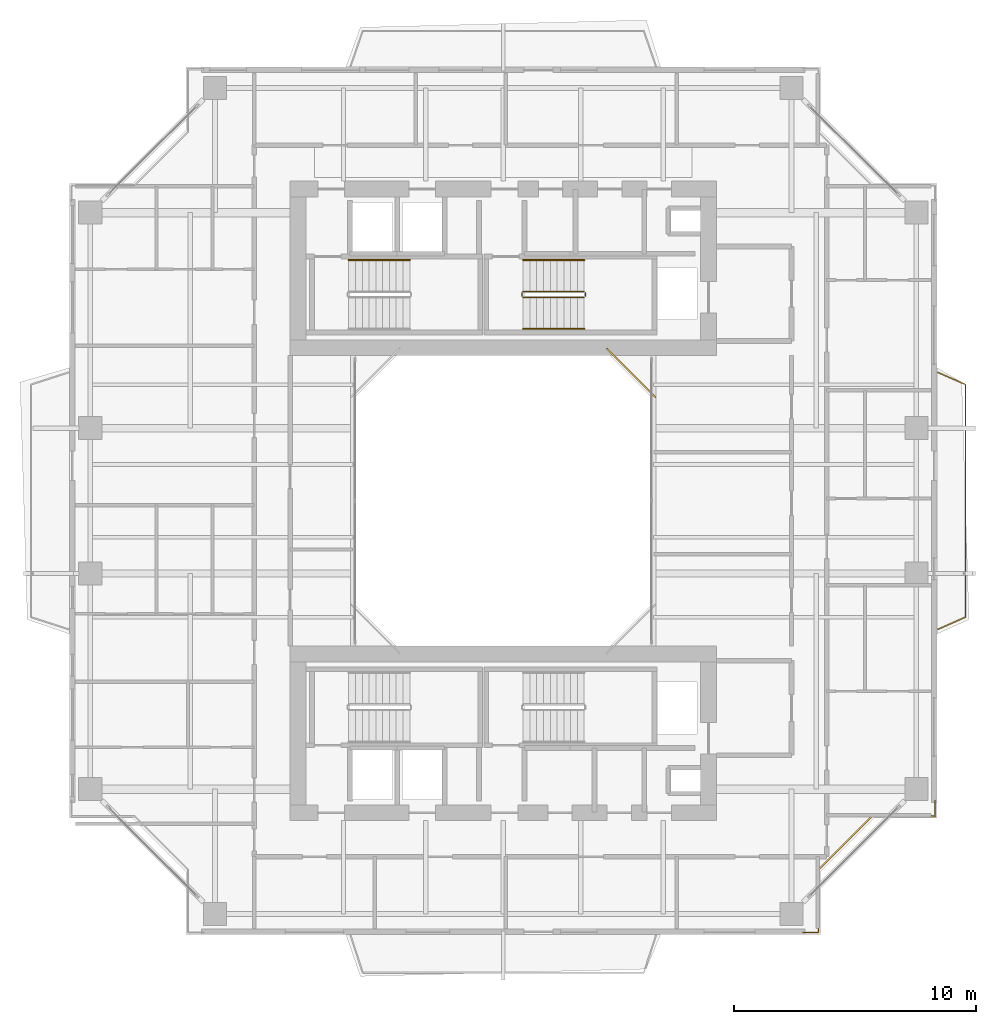
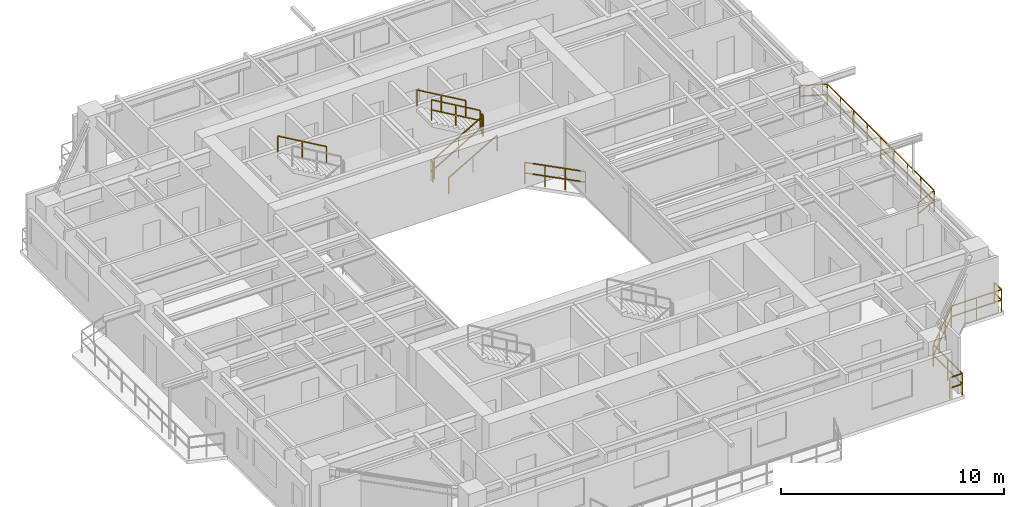
# One storey, part 17 of 18: 10 railings.
"""IFC4 building model written with IfcOpenShell, lengths in metres."""

from ifc_helpers import new_model, si_unit, direction, frame, origin, origin_2d, place, context, subcontext, project, spatial, rectangle, extrude, material, type_object, element, save


model = new_model("IFC4")

# Units and contexts
model_context = context("Model", 3, precision=1e-05, world=origin(), true_north=direction((0.0, 1.0)))
body_context = subcontext(model_context, "Body", "Model", "MODEL_VIEW")
ifc_project = project(units=[si_unit("LENGTHUNIT", "METRE"), si_unit("AREAUNIT", "SQUARE_METRE"), si_unit("VOLUMEUNIT", "CUBIC_METRE"), si_unit("PLANEANGLEUNIT", "RADIAN"), si_unit("MASSUNIT", "GRAM", prefix="KILO"), si_unit("THERMODYNAMICTEMPERATUREUNIT", "KELVIN"), si_unit("POWERUNIT", "WATT")], contexts=[model_context])

# Site, building, storey
site_placement = place(None, origin())
site = spatial("IfcSite", under=ifc_project, at=site_placement, CompositionType="ELEMENT")
building_placement = place(site_placement, origin())
building = spatial("IfcBuilding", under=site, at=building_placement, Name="Qiaomeng Ring Towers", CompositionType="ELEMENT")
storey_placement = place(building_placement, frame((0.0, 0.0, 179.5)))
storey = spatial("IfcBuildingStorey", under=building, at=storey_placement, Name="L52", CompositionType="ELEMENT", Elevation=179.5)

# Railings
ifc_material_1 = material(Name="Low-E pale-green laminated safety glass", Category="glass")
railing_type_1 = type_object("IfcRailingType", Name="ARC-RL-BAL1", PredefinedType="BALUSTRADE", material=ifc_material_1)
railing_1_placement = place(storey_placement, frame((25.280029296875, 27.280029296875, 0.0)))
element("IfcRailing", 1, at=railing_1_placement, inside=storey, type_object=railing_type_1, Name="L52 Balustrade ARC-BAL-WELL1-L52-2", PredefinedType="BALUSTRADE", context=body_context, shape_type="SweptSolid", body=[
    extrude(rectangle(XDim=0.048095703125, YDim=0.048095703125, at=origin_2d()), frame((0.0, 0.0, 1.17578125), z_axis=(-0.707106781187, 0.707106781187, 0.0), x_axis=(-0.707106781187, -0.707106781187, 0.0)), (0.0, 0.0, 1.0), 2.828369140625),
    extrude(rectangle(XDim=0.048095703125, YDim=0.048095703125, at=origin_2d()), frame((0.0, 0.0, 0.60009765625), z_axis=(-0.707106781187, 0.707106781187, 0.0), x_axis=(-0.707106781187, -0.707106781187, 0.0)), (0.0, 0.0, 1.0), 2.828369140625),
    extrude(rectangle(XDim=0.0419921875, YDim=0.0419921875, at=origin_2d()), origin(), (0.0, 0.0, 1.0), 1.15185546875),
    extrude(rectangle(XDim=0.0419921875, YDim=0.0419921875, at=origin_2d()), frame((-0.666748046875, 0.666748046875, 0.0)), (0.0, 0.0, 1.0), 1.15185546875),
    extrude(rectangle(XDim=0.0419921875, YDim=0.0419921875, at=origin_2d()), frame((-1.333251953125, 1.333251953125, 0.0)), (0.0, 0.0, 1.0), 1.15185546875),
    extrude(rectangle(XDim=0.0419921875, YDim=0.0419921875, at=origin_2d()), frame((-2.0, 2.0, 0.0)), (0.0, 0.0, 1.0), 1.15185546875),
])
railing_2_placement = place(storey_placement, frame((31.3701171875, 5.179931640625, 0.0)))
element("IfcRailing", 2, at=railing_2_placement, inside=storey, type_object=railing_type_1, Name="L52 Balustrade ARC-BAL-NOTCH1-L52-SE", PredefinedType="BALUSTRADE", context=body_context, shape_type="SweptSolid", body=[
    extrude(rectangle(XDim=0.048095703125, YDim=0.048095703125, at=origin_2d()), frame((0.0, 0.0, 1.17578125), z_axis=(1.0, 0.0, 0.0), x_axis=(0.0, 1.0, 0.0)), (0.0, 0.0, 1.0), 0.64990234375),
    extrude(rectangle(XDim=0.048095703125, YDim=0.048095703125, at=origin_2d()), frame((0.0, 0.0, 0.60009765625), z_axis=(1.0, 0.0, 0.0), x_axis=(0.0, 1.0, 0.0)), (0.0, 0.0, 1.0), 0.64990234375),
    extrude(rectangle(XDim=0.048095703125, YDim=0.048095703125, at=origin_2d()), frame((0.64990234375, 0.0, 1.17578125), z_axis=(0.0, 1.0, 0.0), x_axis=(-1.0, 0.0, 0.0)), (0.0, 0.0, 1.0), 2.60009765625),
    extrude(rectangle(XDim=0.048095703125, YDim=0.048095703125, at=origin_2d()), frame((0.64990234375, 0.0, 0.60009765625), z_axis=(0.0, 1.0, 0.0), x_axis=(-1.0, 0.0, 0.0)), (0.0, 0.0, 1.0), 2.60009765625),
    extrude(rectangle(XDim=0.048095703125, YDim=0.048095703125, at=origin_2d()), frame((0.64990234375, 2.60009765625, 1.17578125), z_axis=(0.707106781187, 0.707106781187, 0.0), x_axis=(-0.707106781187, 0.707106781187, 0.0)), (0.0, 0.0, 1.0), 3.111083984375),
    extrude(rectangle(XDim=0.048095703125, YDim=0.048095703125, at=origin_2d()), frame((0.64990234375, 2.60009765625, 0.60009765625), z_axis=(0.707106781187, 0.707106781187, 0.0), x_axis=(-0.707106781187, 0.707106781187, 0.0)), (0.0, 0.0, 1.0), 3.111083984375),
    extrude(rectangle(XDim=0.048095703125, YDim=0.048095703125, at=origin_2d()), frame((2.849853515625, 4.800048828125, 1.17578125), z_axis=(1.0, 0.0, 0.0), x_axis=(0.0, 1.0, 0.0)), (0.0, 0.0, 1.0), 2.60009765625),
    extrude(rectangle(XDim=0.048095703125, YDim=0.048095703125, at=origin_2d()), frame((2.849853515625, 4.800048828125, 0.60009765625), z_axis=(1.0, 0.0, 0.0), x_axis=(0.0, 1.0, 0.0)), (0.0, 0.0, 1.0), 2.60009765625),
    extrude(rectangle(XDim=0.048095703125, YDim=0.048095703125, at=origin_2d()), frame((5.449951171875, 4.800048828125, 1.17578125), z_axis=(0.0, 1.0, 0.0), x_axis=(-1.0, 0.0, 0.0)), (0.0, 0.0, 1.0), 0.64990234375),
    extrude(rectangle(XDim=0.048095703125, YDim=0.048095703125, at=origin_2d()), frame((5.449951171875, 4.800048828125, 0.60009765625), z_axis=(0.0, 1.0, 0.0), x_axis=(-1.0, 0.0, 0.0)), (0.0, 0.0, 1.0), 0.64990234375),
    extrude(rectangle(XDim=0.0419921875, YDim=0.0419921875, at=origin_2d()), origin(), (0.0, 0.0, 1.0), 1.15185546875),
    extrude(rectangle(XDim=0.0419921875, YDim=0.0419921875, at=origin_2d()), frame((0.64990234375, 0.0, 0.0)), (0.0, 0.0, 1.0), 1.15185546875),
    extrude(rectangle(XDim=0.0419921875, YDim=0.0419921875, at=origin_2d()), frame((0.64990234375, 1.300048828125, 0.0)), (0.0, 0.0, 1.0), 1.15185546875),
    extrude(rectangle(XDim=0.0419921875, YDim=0.0419921875, at=origin_2d()), frame((0.64990234375, 2.60009765625, 0.0)), (0.0, 0.0, 1.0), 1.15185546875),
    extrude(rectangle(XDim=0.0419921875, YDim=0.0419921875, at=origin_2d()), frame((1.38330078125, 3.33349609375, 0.0)), (0.0, 0.0, 1.0), 1.15185546875),
    extrude(rectangle(XDim=0.0419921875, YDim=0.0419921875, at=origin_2d()), frame((2.116455078125, 4.066650390625, 0.0)), (0.0, 0.0, 1.0), 1.15185546875),
    extrude(rectangle(XDim=0.0419921875, YDim=0.0419921875, at=origin_2d()), frame((2.849853515625, 4.800048828125, 0.0)), (0.0, 0.0, 1.0), 1.15185546875),
    extrude(rectangle(XDim=0.0419921875, YDim=0.0419921875, at=origin_2d()), frame((4.14990234375, 4.800048828125, 0.0)), (0.0, 0.0, 1.0), 1.15185546875),
    extrude(rectangle(XDim=0.0419921875, YDim=0.0419921875, at=origin_2d()), frame((5.449951171875, 4.800048828125, 0.0)), (0.0, 0.0, 1.0), 1.15185546875),
    extrude(rectangle(XDim=0.0419921875, YDim=0.0419921875, at=origin_2d()), frame((5.449951171875, 5.449951171875, 0.0)), (0.0, 0.0, 1.0), 1.15185546875),
])
railing_3_placement = place(storey_placement, frame((36.949951171875, 17.699951171875, 0.0)))
element("IfcRailing", 3, at=railing_3_placement, inside=storey, type_object=railing_type_1, Name="L52 Balustrade ARC-BAL-L52-T1-E", PredefinedType="BALUSTRADE", context=body_context, shape_type="SweptSolid", body=[
    extrude(rectangle(XDim=0.048095703125, YDim=0.048095703125, at=origin_2d()), frame((0.0, 0.0, 1.17578125), z_axis=(0.914494575002, 0.404598161504, 0.0), x_axis=(-0.404598161504, 0.914494575002, 0.0)), (0.0, 0.0, 1.0), 1.23583984375),
    extrude(rectangle(XDim=0.048095703125, YDim=0.048095703125, at=origin_2d()), frame((0.0, 0.0, 0.60009765625), z_axis=(0.914494575002, 0.404598161504, 0.0), x_axis=(-0.404598161504, 0.914494575002, 0.0)), (0.0, 0.0, 1.0), 1.23583984375),
    extrude(rectangle(XDim=0.048095703125, YDim=0.048095703125, at=origin_2d()), frame((1.130126953125, 0.5, 1.17578125), z_axis=(0.0, 1.0, 0.0), x_axis=(-1.0, 0.0, 0.0)), (0.0, 0.0, 1.0), 9.60009765625),
    extrude(rectangle(XDim=0.048095703125, YDim=0.048095703125, at=origin_2d()), frame((1.130126953125, 0.5, 0.60009765625), z_axis=(0.0, 1.0, 0.0), x_axis=(-1.0, 0.0, 0.0)), (0.0, 0.0, 1.0), 9.60009765625),
    extrude(rectangle(XDim=0.048095703125, YDim=0.048095703125, at=origin_2d()), frame((1.130126953125, 10.10009765625, 1.17578125), z_axis=(-0.914494575002, 0.404598161504, 0.0), x_axis=(-0.404598161504, -0.914494575002, 0.0)), (0.0, 0.0, 1.0), 1.23583984375),
    extrude(rectangle(XDim=0.048095703125, YDim=0.048095703125, at=origin_2d()), frame((1.130126953125, 10.10009765625, 0.60009765625), z_axis=(-0.914494575002, 0.404598161504, 0.0), x_axis=(-0.404598161504, -0.914494575002, 0.0)), (0.0, 0.0, 1.0), 1.23583984375),
    extrude(rectangle(XDim=0.0419921875, YDim=0.0419921875, at=origin_2d()), origin(), (0.0, 0.0, 1.0), 1.15185546875),
    extrude(rectangle(XDim=0.0419921875, YDim=0.0419921875, at=origin_2d()), frame((1.130126953125, 0.5, 0.0)), (0.0, 0.0, 1.0), 1.15185546875),
    extrude(rectangle(XDim=0.0419921875, YDim=0.0419921875, at=origin_2d()), frame((1.130126953125, 1.699951171875, 0.0)), (0.0, 0.0, 1.0), 1.15185546875),
    extrude(rectangle(XDim=0.0419921875, YDim=0.0419921875, at=origin_2d()), frame((1.130126953125, 2.89990234375, 0.0)), (0.0, 0.0, 1.0), 1.15185546875),
    extrude(rectangle(XDim=0.0419921875, YDim=0.0419921875, at=origin_2d()), frame((1.130126953125, 4.10009765625, 0.0)), (0.0, 0.0, 1.0), 1.15185546875),
    extrude(rectangle(XDim=0.0419921875, YDim=0.0419921875, at=origin_2d()), frame((1.130126953125, 5.300048828125, 0.0)), (0.0, 0.0, 1.0), 1.15185546875),
    extrude(rectangle(XDim=0.0419921875, YDim=0.0419921875, at=origin_2d()), frame((1.130126953125, 6.5, 0.0)), (0.0, 0.0, 1.0), 1.15185546875),
    extrude(rectangle(XDim=0.0419921875, YDim=0.0419921875, at=origin_2d()), frame((1.130126953125, 7.7001953125, 0.0)), (0.0, 0.0, 1.0), 1.15185546875),
    extrude(rectangle(XDim=0.0419921875, YDim=0.0419921875, at=origin_2d()), frame((1.130126953125, 8.900146484375, 0.0)), (0.0, 0.0, 1.0), 1.15185546875),
    extrude(rectangle(XDim=0.0419921875, YDim=0.0419921875, at=origin_2d()), frame((1.130126953125, 10.10009765625, 0.0)), (0.0, 0.0, 1.0), 1.15185546875),
    extrude(rectangle(XDim=0.0419921875, YDim=0.0419921875, at=origin_2d()), frame((0.0, 10.60009765625, 0.0)), (0.0, 0.0, 1.0), 1.15185546875),
])
ifc_material_2 = material(Name="Galvanised steel", Category="steel")
railing_type_2 = type_object("IfcRailingType", Name="ARC-RL-GUARD", PredefinedType="GUARDRAIL", material=ifc_material_2)
railing_4_placement = place(storey_placement, frame((19.820068359375, 31.39990234375, 0.16259765625)))
element("IfcRailing", 4, at=railing_4_placement, inside=storey, type_object=railing_type_2, Name="L52 ST2 stair guard 1", PredefinedType="GUARDRAIL", context=body_context, shape_type="SweptSolid", body=[
    extrude(rectangle(XDim=0.048095703125, YDim=0.048095703125, at=origin_2d()), frame((0.0, 0.0, 1.1259765625), z_axis=(0.864913338283, 0.0, 0.50192122615), x_axis=(0.0, 1.0, 0.0)), (0.0, 0.0, 1.0), 2.91357421875),
    extrude(rectangle(XDim=0.048095703125, YDim=0.048095703125, at=origin_2d()), frame((0.0, 0.0, 0.574951171875), z_axis=(0.864913338283, 0.0, 0.50192122615), x_axis=(0.0, 1.0, 0.0)), (0.0, 0.0, 1.0), 2.91357421875),
    extrude(rectangle(XDim=0.0419921875, YDim=0.0419921875, at=origin_2d()), origin(), (0.0, 0.0, 1.0), 1.101806640625),
    extrude(rectangle(XDim=0.0419921875, YDim=0.0419921875, at=origin_2d()), frame((1.260009765625, 0.0, 0.731201171875)), (0.0, 0.0, 1.0), 1.101806640625),
    extrude(rectangle(XDim=0.0419921875, YDim=0.0419921875, at=origin_2d()), frame((2.52001953125, 0.0, 1.46240234375)), (0.0, 0.0, 1.0), 1.101806640625),
])
railing_5_placement = place(storey_placement, frame((22.389892578125, 31.449951171875, 1.625)))
element("IfcRailing", 5, at=railing_5_placement, inside=storey, type_object=railing_type_2, Name="L52 ST2 stair guard 2", PredefinedType="GUARDRAIL", context=body_context, shape_type="SweptSolid", body=[
    extrude(rectangle(XDim=0.048095703125, YDim=0.048095703125, at=origin_2d()), frame((0.0, 0.0, 1.1259765625), z_axis=(0.0, 1.0, 0.0), x_axis=(-1.0, 0.0, 0.0)), (0.0, 0.0, 1.0), 0.14013671875),
    extrude(rectangle(XDim=0.048095703125, YDim=0.048095703125, at=origin_2d()), frame((0.0, 0.0, 0.574951171875), z_axis=(0.0, 1.0, 0.0), x_axis=(-1.0, 0.0, 0.0)), (0.0, 0.0, 1.0), 0.14013671875),
    extrude(rectangle(XDim=0.0419921875, YDim=0.0419921875, at=origin_2d()), origin(), (0.0, 0.0, 1.0), 1.101806640625),
    extrude(rectangle(XDim=0.0419921875, YDim=0.0419921875, at=origin_2d()), frame((0.0, 0.14013671875, 0.0)), (0.0, 0.0, 1.0), 1.101806640625),
])
railing_6_placement = place(storey_placement, frame((22.340087890625, 31.639892578125, 1.78759765625)))
element("IfcRailing", 6, at=railing_6_placement, inside=storey, type_object=railing_type_2, Name="L52 ST2 stair guard 3", PredefinedType="GUARDRAIL", context=body_context, shape_type="SweptSolid", body=[
    extrude(rectangle(XDim=0.048095703125, YDim=0.048095703125, at=origin_2d()), frame((0.0, 0.0, 1.1259765625), z_axis=(-0.864913338283, 0.0, 0.50192122615), x_axis=(0.0, -1.0, 0.0)), (0.0, 0.0, 1.0), 2.91357421875),
    extrude(rectangle(XDim=0.048095703125, YDim=0.048095703125, at=origin_2d()), frame((0.0, 0.0, 0.574951171875), z_axis=(-0.864913338283, 0.0, 0.50192122615), x_axis=(0.0, -1.0, 0.0)), (0.0, 0.0, 1.0), 2.91357421875),
    extrude(rectangle(XDim=0.0419921875, YDim=0.0419921875, at=origin_2d()), origin(), (0.0, 0.0, 1.0), 1.101806640625),
    extrude(rectangle(XDim=0.0419921875, YDim=0.0419921875, at=origin_2d()), frame((-1.260009765625, 0.0, 0.731201171875)), (0.0, 0.0, 1.0), 1.101806640625),
    extrude(rectangle(XDim=0.0419921875, YDim=0.0419921875, at=origin_2d()), frame((-2.52001953125, 0.0, 1.46240234375)), (0.0, 0.0, 1.0), 1.101806640625),
])
railing_7_placement = place(storey_placement, frame((19.77001953125, 31.449951171875, 0.0)))
element("IfcRailing", 7, at=railing_7_placement, inside=storey, type_object=railing_type_2, Name="L52 ST2 stair guard 4", PredefinedType="GUARDRAIL", context=body_context, shape_type="SweptSolid", body=[
    extrude(rectangle(XDim=0.048095703125, YDim=0.048095703125, at=origin_2d()), frame((0.0, 0.0, 1.1259765625), z_axis=(0.0, 1.0, 0.0), x_axis=(-1.0, 0.0, 0.0)), (0.0, 0.0, 1.0), 0.14013671875),
    extrude(rectangle(XDim=0.048095703125, YDim=0.048095703125, at=origin_2d()), frame((0.0, 0.0, 0.574951171875), z_axis=(0.0, 1.0, 0.0), x_axis=(-1.0, 0.0, 0.0)), (0.0, 0.0, 1.0), 0.14013671875),
    extrude(rectangle(XDim=0.0419921875, YDim=0.0419921875, at=origin_2d()), origin(), (0.0, 0.0, 1.0), 1.101806640625),
    extrude(rectangle(XDim=0.0419921875, YDim=0.0419921875, at=origin_2d()), frame((0.0, 0.14013671875, 0.0)), (0.0, 0.0, 1.0), 1.101806640625),
])
ifc_material_3 = material(Name="Stainless steel 316", Category="steel")
railing_type_3 = type_object("IfcRailingType", Name="ARC-RL-HAND", PredefinedType="HANDRAIL", material=ifc_material_3)
railing_8_placement = place(storey_placement, frame((15.139892578125, 32.93994140625, 1.78759765625)))
element("IfcRailing", 8, at=railing_8_placement, inside=storey, type_object=railing_type_3, Name="L52 ST1 stair handrail 2", PredefinedType="HANDRAIL", context=body_context, shape_type="SweptSolid", body=[
    extrude(rectangle(XDim=0.048095703125, YDim=0.048095703125, at=origin_2d()), frame((0.0, 0.0, 0.8759765625), z_axis=(-0.864892226395, 0.0, 0.501957604506), x_axis=(0.0, -1.0, 0.0)), (0.0, 0.0, 1.0), 2.913330078125),
    extrude(rectangle(XDim=0.0419921875, YDim=0.0419921875, at=origin_2d()), origin(), (0.0, 0.0, 1.0), 0.851806640625),
    extrude(rectangle(XDim=0.0419921875, YDim=0.0419921875, at=origin_2d()), frame((-1.259765625, 0.0, 0.731201171875)), (0.0, 0.0, 1.0), 0.851806640625),
    extrude(rectangle(XDim=0.0419921875, YDim=0.0419921875, at=origin_2d()), frame((-2.519775390625, 0.0, 1.46240234375)), (0.0, 0.0, 1.0), 0.851806640625),
])
railing_9_placement = place(storey_placement, frame((19.820068359375, 30.10009765625, 0.16259765625)))
element("IfcRailing", 9, at=railing_9_placement, inside=storey, type_object=railing_type_3, Name="L52 ST2 stair handrail 1", PredefinedType="HANDRAIL", context=body_context, shape_type="SweptSolid", body=[
    extrude(rectangle(XDim=0.048095703125, YDim=0.048095703125, at=origin_2d()), frame((0.0, 0.0, 0.8759765625), z_axis=(0.864913338283, 0.0, 0.50192122615), x_axis=(0.0, 1.0, 0.0)), (0.0, 0.0, 1.0), 2.91357421875),
    extrude(rectangle(XDim=0.0419921875, YDim=0.0419921875, at=origin_2d()), origin(), (0.0, 0.0, 1.0), 0.851806640625),
    extrude(rectangle(XDim=0.0419921875, YDim=0.0419921875, at=origin_2d()), frame((1.260009765625, 0.0, 0.731201171875)), (0.0, 0.0, 1.0), 0.851806640625),
    extrude(rectangle(XDim=0.0419921875, YDim=0.0419921875, at=origin_2d()), frame((2.52001953125, 0.0, 1.46240234375)), (0.0, 0.0, 1.0), 0.851806640625),
])
railing_10_placement = place(storey_placement, frame((22.340087890625, 32.93994140625, 1.78759765625)))
element("IfcRailing", 10, at=railing_10_placement, inside=storey, type_object=railing_type_3, Name="L52 ST2 stair handrail 2", PredefinedType="HANDRAIL", context=body_context, shape_type="SweptSolid", body=[
    extrude(rectangle(XDim=0.048095703125, YDim=0.048095703125, at=origin_2d()), frame((0.0, 0.0, 0.8759765625), z_axis=(-0.864913338283, 0.0, 0.50192122615), x_axis=(0.0, -1.0, 0.0)), (0.0, 0.0, 1.0), 2.91357421875),
    extrude(rectangle(XDim=0.0419921875, YDim=0.0419921875, at=origin_2d()), origin(), (0.0, 0.0, 1.0), 0.851806640625),
    extrude(rectangle(XDim=0.0419921875, YDim=0.0419921875, at=origin_2d()), frame((-1.260009765625, 0.0, 0.731201171875)), (0.0, 0.0, 1.0), 0.851806640625),
    extrude(rectangle(XDim=0.0419921875, YDim=0.0419921875, at=origin_2d()), frame((-2.52001953125, 0.0, 1.46240234375)), (0.0, 0.0, 1.0), 0.851806640625),
])

save(model, "model.ifc")
